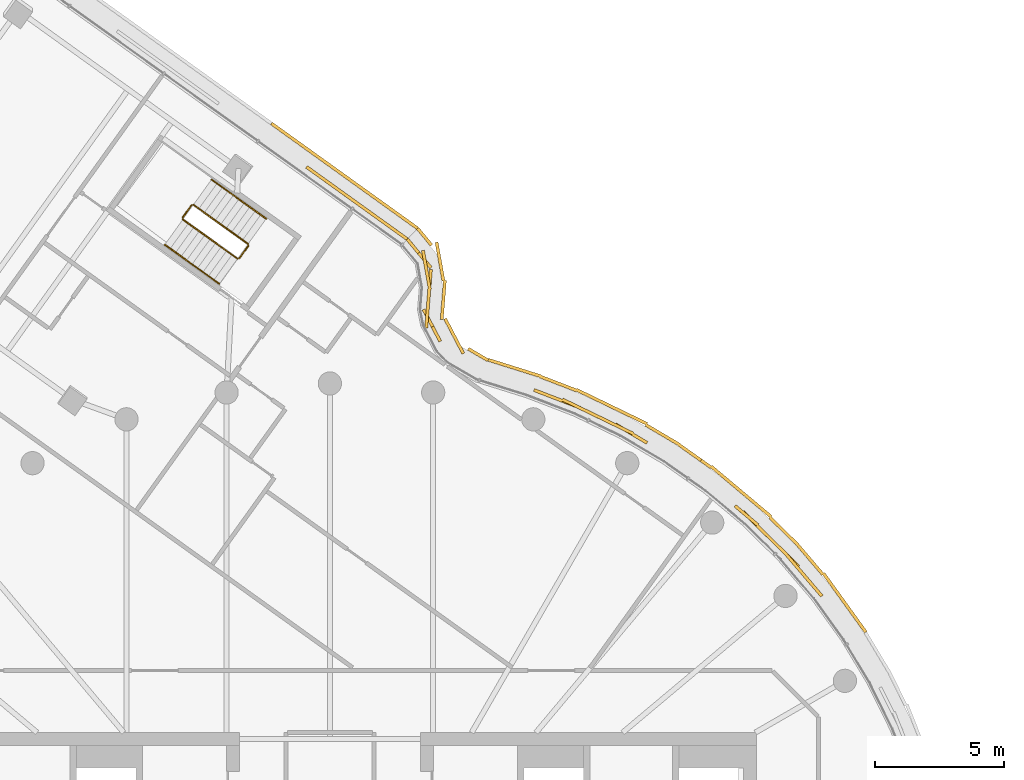
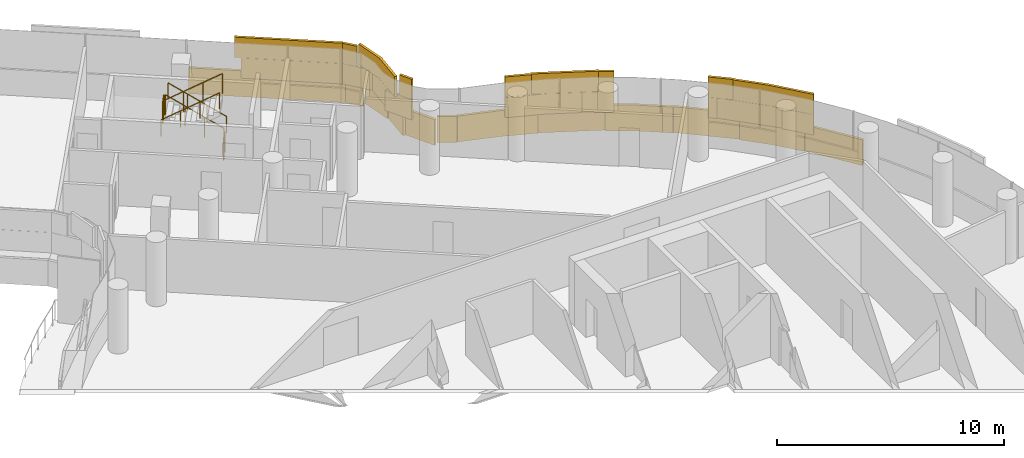
# One storey, part 26 of 27: 6 railings, 4 coverings.
"""IFC4 building model written with IfcOpenShell, lengths in metres."""

from ifc_helpers import new_model, si_unit, direction, frame, origin, origin_2d, place, context, subcontext, project, spatial, rectangle, circle, extrude, material, layer, layer_set, type_object, element, save


model = new_model("IFC4")

# Units and contexts
model_context = context("Model", 3, precision=1e-05, world=origin(), true_north=direction((0.0, 1.0)))
body_context = subcontext(model_context, "Body", "Model", "MODEL_VIEW")
ifc_project = project(units=[si_unit("LENGTHUNIT", "METRE"), si_unit("AREAUNIT", "SQUARE_METRE"), si_unit("VOLUMEUNIT", "CUBIC_METRE"), si_unit("PLANEANGLEUNIT", "RADIAN"), si_unit("MASSUNIT", "GRAM", prefix="KILO")], contexts=[model_context])

# Site, building, storey
site_placement = place(None, origin())
site = spatial("IfcSite", under=ifc_project, at=site_placement, CompositionType="ELEMENT")
building_placement = place(site_placement, origin())
building = spatial("IfcBuilding", under=site, at=building_placement, Name="Tamarind Cross Interchange Tower", CompositionType="ELEMENT")
storey_placement = place(building_placement, frame((0.0, 0.0, 230.699951171875)))
storey = spatial("IfcBuildingStorey", under=building, at=storey_placement, Name="L58", CompositionType="ELEMENT", Elevation=230.699951171875)

# Railings
ifc_material_1 = material(Name="Stair guard")
railing_type_1 = type_object("IfcRailingType", Name="Stair guard", PredefinedType="GUARDRAIL", material=ifc_material_1)
railing_1_placement = place(storey_placement, frame((-3.16455078125, 28.395263671875, 0.16357421875)))
element("IfcRailing", 1, at=railing_1_placement, inside=storey, type_object=railing_type_1, Name="L58 ST4 stair guard 1", PredefinedType="GUARDRAIL", context=body_context, shape_type="SweptSolid", body=[
    extrude(circle(Radius=0.02392578125, at=origin_2d()), frame((0.0, 0.0, 1.076171875), z_axis=(-0.687551983444, 0.493492581737, 0.532670012139), x_axis=(-0.583101922909, -0.81239900757, 0.0)), (0.0, 0.0, 1.0), 3.072265625),
    extrude(circle(Radius=0.02099609375, at=origin_2d()), origin(), (0.0, 0.0, 1.0), 1.052001953125),
    extrude(circle(Radius=0.02099609375, at=origin_2d()), frame((-0.7041015625, 0.50537109375, 0.54541015625)), (0.0, 0.0, 1.0), 1.052001953125),
    extrude(circle(Radius=0.02099609375, at=origin_2d()), frame((-1.408203125, 1.0107421875, 1.091064453125)), (0.0, 0.0, 1.0), 1.052001953125),
    extrude(circle(Radius=0.02099609375, at=origin_2d()), frame((-2.1123046875, 1.51611328125, 1.636474609375)), (0.0, 0.0, 1.0), 1.052001953125),
])
railing_2_placement = place(storey_placement, frame((-5.346435546875, 29.89990234375, 1.800048828125)))
element("IfcRailing", 2, at=railing_2_placement, inside=storey, type_object=railing_type_1, Name="L58 ST4 stair guard 2", PredefinedType="GUARDRAIL", context=body_context, shape_type="SweptSolid", body=[
    extrude(circle(Radius=0.02392578125, at=origin_2d()), frame((0.0, 0.0, 1.076171875), z_axis=(-0.58327560158, -0.812274321028, 0.0), x_axis=(0.812274321028, -0.58327560158, 0.0)), (0.0, 0.0, 1.0), 0.600341796875),
    extrude(circle(Radius=0.02099609375, at=origin_2d()), origin(), (0.0, 0.0, 1.0), 1.052001953125),
    extrude(circle(Radius=0.02099609375, at=origin_2d()), frame((-0.35009765625, -0.487548828125, 0.0)), (0.0, 0.0, 1.0), 1.052001953125),
])
railing_3_placement = place(storey_placement, frame((-5.68505859375, 29.342529296875, 1.963623046875)))
element("IfcRailing", 3, at=railing_3_placement, inside=storey, type_object=railing_type_1, Name="L58 ST4 stair guard 3", PredefinedType="GUARDRAIL", context=body_context, shape_type="SweptSolid", body=[
    extrude(circle(Radius=0.02392578125, at=origin_2d()), frame((0.0, 0.0, 1.076171875), z_axis=(0.687551983444, -0.493492581737, 0.532670012139), x_axis=(0.583101922909, 0.81239900757, 0.0)), (0.0, 0.0, 1.0), 3.072265625),
    extrude(circle(Radius=0.02099609375, at=origin_2d()), origin(), (0.0, 0.0, 1.0), 1.052001953125),
    extrude(circle(Radius=0.02099609375, at=origin_2d()), frame((0.7041015625, -0.50537109375, 0.54541015625)), (0.0, 0.0, 1.0), 1.052001953125),
    extrude(circle(Radius=0.02099609375, at=origin_2d()), frame((1.408203125, -1.0107421875, 1.091064453125)), (0.0, 0.0, 1.0), 1.052001953125),
    extrude(circle(Radius=0.02099609375, at=origin_2d()), frame((2.1123046875, -1.51611328125, 1.636474609375)), (0.0, 0.0, 1.0), 1.052001953125),
])
railing_4_placement = place(storey_placement, frame((-3.153076171875, 28.325439453125, 0.0)))
element("IfcRailing", 4, at=railing_4_placement, inside=storey, type_object=railing_type_1, Name="L58 ST4 stair guard 4", PredefinedType="GUARDRAIL", context=body_context, shape_type="SweptSolid", body=[
    extrude(circle(Radius=0.02392578125, at=origin_2d()), frame((0.0, 0.0, 1.076171875), z_axis=(-0.583007138445, -0.812467031037, 0.0), x_axis=(0.812467031037, -0.583007138445, 0.0)), (0.0, 0.0, 1.0), 0.60009765625),
    extrude(circle(Radius=0.02099609375, at=origin_2d()), origin(), (0.0, 0.0, 1.0), 1.052001953125),
    extrude(circle(Radius=0.02099609375, at=origin_2d()), frame((-0.349853515625, -0.487548828125, 0.0)), (0.0, 0.0, 1.0), 1.052001953125),
])
ifc_material_2 = material(Name="Stair handrail")
railing_type_2 = type_object("IfcRailingType", Name="Stair handrail", PredefinedType="HANDRAIL", material=ifc_material_2)
railing_5_placement = place(storey_placement, frame((-2.46484375, 29.3701171875, 0.16357421875)))
element("IfcRailing", 5, at=railing_5_placement, inside=storey, type_object=railing_type_2, Name="L58 ST4 stair handrail 1", PredefinedType="HANDRAIL", context=body_context, shape_type="SweptSolid", body=[
    extrude(circle(Radius=0.02392578125, at=origin_2d()), frame((0.0, 0.0, 0.8759765625), z_axis=(-0.687510079051, 0.493519545822, 0.532699116851), x_axis=(-0.583146405628, -0.812367078114, 0.0)), (0.0, 0.0, 1.0), 3.072021484375),
    extrude(circle(Radius=0.02099609375, at=origin_2d()), origin(), (0.0, 0.0, 1.0), 0.851806640625),
    extrude(circle(Radius=0.02099609375, at=origin_2d()), frame((-0.7041015625, 0.50537109375, 0.54541015625)), (0.0, 0.0, 1.0), 0.851806640625),
    extrude(circle(Radius=0.02099609375, at=origin_2d()), frame((-1.407958984375, 1.0107421875, 1.091064453125)), (0.0, 0.0, 1.0), 0.851806640625),
    extrude(circle(Radius=0.02099609375, at=origin_2d()), frame((-2.112060546875, 1.51611328125, 1.636474609375)), (0.0, 0.0, 1.0), 0.851806640625),
])
railing_6_placement = place(storey_placement, frame((-6.384765625, 28.36767578125, 1.963623046875)))
element("IfcRailing", 6, at=railing_6_placement, inside=storey, type_object=railing_type_2, Name="L58 ST4 stair handrail 2", PredefinedType="HANDRAIL", context=body_context, shape_type="SweptSolid", body=[
    extrude(circle(Radius=0.02392578125, at=origin_2d()), frame((0.0, 0.0, 0.8759765625), z_axis=(0.687551983444, -0.493492581737, 0.532670012139), x_axis=(0.583101922909, 0.81239900757, 0.0)), (0.0, 0.0, 1.0), 3.072265625),
    extrude(circle(Radius=0.02099609375, at=origin_2d()), origin(), (0.0, 0.0, 1.0), 0.851806640625),
    extrude(circle(Radius=0.02099609375, at=origin_2d()), frame((0.7041015625, -0.50537109375, 0.54541015625)), (0.0, 0.0, 1.0), 0.851806640625),
    extrude(circle(Radius=0.02099609375, at=origin_2d()), frame((1.408203125, -1.0107421875, 1.091064453125)), (0.0, 0.0, 1.0), 0.851806640625),
    extrude(circle(Radius=0.02099609375, at=origin_2d()), frame((2.1123046875, -1.51611328125, 1.636474609375)), (0.0, 0.0, 1.0), 0.851806640625),
])

# Coverings
ifc_material_3 = material(Name="Terracotta", Category="masonry")
ifc_layer = layer(ifc_material_3, 0.1201171875)
ifc_layer_set = layer_set([ifc_layer], Name="Terracotta")
covering_type = type_object("IfcCoveringType", Name="Terracotta baguette screen unit", PredefinedType="MOLDING", material=ifc_layer_set)
covering_1_placement = place(storey_placement, origin())
element("IfcCovering", 7, at=covering_1_placement, inside=storey, type_object=covering_type, Name="SCR-L58-02-08", PredefinedType="MOLDING", context=body_context, shape_type="SweptSolid", body=[
    extrude(rectangle(XDim=1.463134765625, YDim=0.1201171875, at=origin_2d()), frame((18.55224609375, 15.33349609375, 1.40380859375), z_axis=(0.0, 0.0, 1.0), x_axis=(-0.64957723968, 0.760295606781, 0.0)), (0.0, 0.0, 1.0), 1.092041015625),
    extrude(rectangle(XDim=1.52001953125, YDim=0.1201171875, at=origin_2d()), frame((17.587890625, 16.451171875, 1.40380859375), z_axis=(0.0, 0.0, 1.0), x_axis=(-0.710143317658, 0.704057148523, 0.0)), (0.0, 0.0, 1.0), 1.092041015625),
    extrude(rectangle(XDim=1.52001953125, YDim=0.1201171875, at=origin_2d()), frame((16.5224609375, 17.507080078125, 1.40380859375), z_axis=(0.0, 0.0, 1.0), x_axis=(-0.710143317658, 0.704057148523, 0.0)), (0.0, 0.0, 1.0), 1.092041015625),
    extrude(rectangle(XDim=0.3994140625, YDim=0.1201171875, at=origin_2d()), frame((15.821533203125, 18.13916015625, 1.40380859375), z_axis=(0.0, 0.0, 1.0), x_axis=(-0.765858396687, 0.643009266048, 0.0)), (0.0, 0.0, 1.0), 1.092041015625),
    extrude(rectangle(XDim=0.713134765625, YDim=0.1201171875, at=origin_2d()), frame((18.7958984375, 15.04833984375, 2.50390625), z_axis=(0.0, 0.0, 1.0), x_axis=(-0.64957723968, 0.760295606781, 0.0)), (0.0, 0.0, 1.0), 1.092041015625),
    extrude(rectangle(XDim=1.52001953125, YDim=0.1201171875, at=origin_2d()), frame((18.080322265625, 15.8857421875, 2.50390625), z_axis=(0.0, 0.0, 1.0), x_axis=(-0.64957723968, 0.760295606781, 0.0)), (0.0, 0.0, 1.0), 1.092041015625),
    extrude(rectangle(XDim=1.52001953125, YDim=0.1201171875, at=origin_2d()), frame((17.05517578125, 16.979248046875, 2.50390625), z_axis=(0.0, 0.0, 1.0), x_axis=(-0.710143317658, 0.704057148523, 0.0)), (0.0, 0.0, 1.0), 1.092041015625),
    extrude(rectangle(XDim=1.1494140625, YDim=0.1201171875, at=origin_2d()), frame((16.108642578125, 17.898193359375, 2.50390625), z_axis=(0.0, 0.0, 1.0), x_axis=(-0.765858396687, 0.643009266048, 0.0)), (0.0, 0.0, 1.0), 1.092041015625),
    extrude(rectangle(XDim=1.30078125, YDim=0.1201171875, at=origin_2d()), frame((20.346435546875, 13.91015625, 0.00390625), z_axis=(0.0, 0.0, 1.0), x_axis=(-0.584573890505, 0.811340475102, 0.0)), (0.0, 0.0, 1.0), 1.39208984375),
    extrude(rectangle(XDim=1.52001953125, YDim=0.1201171875, at=origin_2d()), frame((19.53369140625, 15.038330078125, 0.00390625), z_axis=(0.0, 0.0, 1.0), x_axis=(-0.584573890505, 0.811340475102, 0.0)), (0.0, 0.0, 1.0), 1.39208984375),
    extrude(rectangle(XDim=1.52001953125, YDim=0.1201171875, at=origin_2d()), frame((18.57470703125, 16.19091796875, 0.00390625), z_axis=(0.0, 0.0, 1.0), x_axis=(-0.64957723968, 0.760295606781, 0.0)), (0.0, 0.0, 1.0), 1.39208984375),
    extrude(rectangle(XDim=1.52001953125, YDim=0.1201171875, at=origin_2d()), frame((17.556396484375, 17.29052734375, 0.00390625), z_axis=(0.0, 0.0, 1.0), x_axis=(-0.710143317658, 0.704057148523, 0.0)), (0.0, 0.0, 1.0), 1.39208984375),
    extrude(rectangle(XDim=1.52001953125, YDim=0.1201171875, at=origin_2d()), frame((16.480712890625, 18.335205078125, 0.00390625), z_axis=(0.0, 0.0, 1.0), x_axis=(-0.765858396687, 0.643009266048, 0.0)), (0.0, 0.0, 1.0), 1.39208984375),
    extrude(rectangle(XDim=1.52001953125, YDim=0.1201171875, at=origin_2d()), frame((15.33203125, 19.2998046875, 0.00390625), z_axis=(0.0, 0.0, 1.0), x_axis=(-0.765858396687, 0.643009266048, 0.0)), (0.0, 0.0, 1.0), 1.39208984375),
    extrude(rectangle(XDim=0.4775390625, YDim=0.1201171875, at=origin_2d()), frame((14.55078125, 19.887939453125, 0.00390625), z_axis=(0.0, 0.0, 1.0), x_axis=(-0.816341886298, 0.577568978284, 0.0)), (0.0, 0.0, 1.0), 1.39208984375),
])
covering_2_placement = place(storey_placement, origin())
element("IfcCovering", 8, at=covering_2_placement, inside=storey, type_object=covering_type, Name="SCR-L58-02-09", PredefinedType="MOLDING", context=body_context, shape_type="SweptSolid", body=[
    extrude(rectangle(XDim=1.420654296875, YDim=0.1201171875, at=origin_2d()), frame((11.65673828125, 21.064453125, 1.40380859375), z_axis=(0.0, 0.0, 1.0), x_axis=(-0.861248933065, 0.508183308752, 0.0)), (0.0, 0.0, 1.0), 1.092041015625),
    extrude(rectangle(XDim=1.52001953125, YDim=0.1201171875, at=origin_2d()), frame((10.359375, 21.721923828125, 1.40380859375), z_axis=(0.0, 0.0, 1.0), x_axis=(-0.900272776334, 0.435326231914, 0.0)), (0.0, 0.0, 1.0), 1.092041015625),
    extrude(rectangle(XDim=1.52001953125, YDim=0.1201171875, at=origin_2d()), frame((8.98828125, 22.326904296875, 1.40380859375), z_axis=(0.0, 0.0, 1.0), x_axis=(-0.933146843667, 0.359495435512, 0.0)), (0.0, 0.0, 1.0), 1.092041015625),
    extrude(rectangle(XDim=0.427490234375, YDim=0.1201171875, at=origin_2d()), frame((8.093505859375, 22.671630859375, 1.40380859375), z_axis=(0.0, 0.0, 1.0), x_axis=(-0.933146843667, 0.359495435512, 0.0)), (0.0, 0.0, 1.0), 1.092041015625),
    extrude(rectangle(XDim=0.670654296875, YDim=0.1201171875, at=origin_2d()), frame((11.979736328125, 20.873779296875, 2.50390625), z_axis=(0.0, 0.0, 1.0), x_axis=(-0.861248933065, 0.508183308752, 0.0)), (0.0, 0.0, 1.0), 1.092041015625),
    extrude(rectangle(XDim=1.52001953125, YDim=0.1201171875, at=origin_2d()), frame((11.03466796875, 21.3955078125, 2.50390625), z_axis=(0.0, 0.0, 1.0), x_axis=(-0.900272776334, 0.435326231914, 0.0)), (0.0, 0.0, 1.0), 1.092041015625),
    extrude(rectangle(XDim=1.52001953125, YDim=0.1201171875, at=origin_2d()), frame((9.684326171875, 22.048583984375, 2.50390625), z_axis=(0.0, 0.0, 1.0), x_axis=(-0.900272776334, 0.435326231914, 0.0)), (0.0, 0.0, 1.0), 1.092041015625),
    extrude(rectangle(XDim=1.177490234375, YDim=0.1201171875, at=origin_2d()), frame((8.443359375, 22.53662109375, 2.50390625), z_axis=(0.0, 0.0, 1.0), x_axis=(-0.933146843667, 0.359495435512, 0.0)), (0.0, 0.0, 1.0), 1.092041015625),
    extrude(rectangle(XDim=1.04248046875, YDim=0.1201171875, at=origin_2d()), frame((13.93017578125, 20.326904296875, 0.00390625), z_axis=(0.0, 0.0, 1.0), x_axis=(-0.816341886298, 0.577568978284, 0.0)), (0.0, 0.0, 1.0), 1.39208984375),
    extrude(rectangle(XDim=1.52001953125, YDim=0.1201171875, at=origin_2d()), frame((12.873291015625, 21.012939453125, 0.00390625), z_axis=(0.0, 0.0, 1.0), x_axis=(-0.861248933065, 0.508183308752, 0.0)), (0.0, 0.0, 1.0), 1.39208984375),
    extrude(rectangle(XDim=1.52001953125, YDim=0.1201171875, at=origin_2d()), frame((11.57861328125, 21.77001953125, 0.00390625), z_axis=(0.0, 0.0, 1.0), x_axis=(-0.900272776334, 0.435326231914, 0.0)), (0.0, 0.0, 1.0), 1.39208984375),
    extrude(rectangle(XDim=1.52001953125, YDim=0.1201171875, at=origin_2d()), frame((10.228271484375, 22.423095703125, 0.00390625), z_axis=(0.0, 0.0, 1.0), x_axis=(-0.900272776334, 0.435326231914, 0.0)), (0.0, 0.0, 1.0), 1.39208984375),
    extrude(rectangle(XDim=1.52001953125, YDim=0.1201171875, at=origin_2d()), frame((8.84375, 22.99755859375, 0.00390625), z_axis=(0.0, 0.0, 1.0), x_axis=(-0.933146843667, 0.359495435512, 0.0)), (0.0, 0.0, 1.0), 1.39208984375),
    extrude(rectangle(XDim=1.52001953125, YDim=0.1201171875, at=origin_2d()), frame((7.43359375, 23.506591796875, 0.00390625), z_axis=(0.0, 0.0, 1.0), x_axis=(-0.954125391172, 0.299407311068, 0.0)), (0.0, 0.0, 1.0), 1.39208984375),
    extrude(rectangle(XDim=0.626220703125, YDim=0.1201171875, at=origin_2d()), frame((6.4287109375, 23.822021484375, 0.00390625), z_axis=(0.0, 0.0, 1.0), x_axis=(-0.954125391172, 0.299407311068, 0.0)), (0.0, 0.0, 1.0), 1.39208984375),
])
covering_3_placement = place(storey_placement, origin())
element("IfcCovering", 9, at=covering_3_placement, inside=storey, type_object=covering_type, Name="SCR-L58-02-10", PredefinedType="MOLDING", context=body_context, shape_type="SweptSolid", body=[
    extrude(rectangle(XDim=1.392333984375, YDim=0.1201171875, at=origin_2d()), frame((3.9453125, 25.243896484375, 1.40380859375), z_axis=(0.0, 0.0, 1.0), x_axis=(-0.462670069084, 0.886530544975, 0.0)), (0.0, 0.0, 1.0), 1.092041015625),
    extrude(rectangle(XDim=1.52001953125, YDim=0.1201171875, at=origin_2d()), frame((3.845947265625, 26.657470703125, 1.40380859375), z_axis=(0.0, 0.0, 1.0), x_axis=(0.080090268448, 0.99678761474, 0.0)), (0.0, 0.0, 1.0), 1.092041015625),
    extrude(rectangle(XDim=1.4375, YDim=0.1201171875, at=origin_2d()), frame((3.450927734375, 28.027099609375, 1.40380859375), z_axis=(0.0, 0.0, 1.0), x_axis=(-0.637407332969, 0.770527022159, 0.0)), (0.0, 0.0, 1.0), 1.092041015625),
    extrude(rectangle(XDim=0.642333984375, YDim=0.1201171875, at=origin_2d()), frame((4.118896484375, 24.911376953125, 2.50390625), z_axis=(0.0, 0.0, 1.0), x_axis=(-0.462670069084, 0.886530544975, 0.0)), (0.0, 0.0, 1.0), 1.092041015625),
    extrude(rectangle(XDim=1.52001953125, YDim=0.1201171875, at=origin_2d()), frame((3.785888671875, 25.909912109375, 2.50390625), z_axis=(0.0, 0.0, 1.0), x_axis=(0.080090268448, 0.99678761474, 0.0)), (0.0, 0.0, 1.0), 1.092041015625),
    extrude(rectangle(XDim=1.52001953125, YDim=0.1201171875, at=origin_2d()), frame((3.732666015625, 27.396728515625, 2.50390625), z_axis=(0.0, 0.0, 1.0), x_axis=(-0.176003900711, 0.98438946913, 0.0)), (0.0, 0.0, 1.0), 1.092041015625),
    extrude(rectangle(XDim=0.6875, YDim=0.1201171875, at=origin_2d()), frame((3.2119140625, 28.31591796875, 2.50390625), z_axis=(0.0, 0.0, 1.0), x_axis=(-0.637407332969, 0.770527022159, 0.0)), (0.0, 0.0, 1.0), 1.092041015625),
    extrude(rectangle(XDim=0.893798828125, YDim=0.1201171875, at=origin_2d()), frame((5.73388671875, 24.117919921875, 0.00390625), z_axis=(0.0, 0.0, 1.0), x_axis=(-0.863508488694, 0.504334303764, 0.0)), (0.0, 0.0, 1.0), 1.39208984375),
    extrude(rectangle(XDim=1.52001953125, YDim=0.1201171875, at=origin_2d()), frame((4.80859375, 24.83056640625, 0.00390625), z_axis=(0.0, 0.0, 1.0), x_axis=(-0.462670069084, 0.886530544975, 0.0)), (0.0, 0.0, 1.0), 1.39208984375),
    extrude(rectangle(XDim=1.52001953125, YDim=0.1201171875, at=origin_2d()), frame((4.387451171875, 26.22998046875, 0.00390625), z_axis=(0.0, 0.0, 1.0), x_axis=(0.080090268448, 0.99678761474, 0.0)), (0.0, 0.0, 1.0), 1.39208984375),
    extrude(rectangle(XDim=1.52001953125, YDim=0.1201171875, at=origin_2d()), frame((4.25927734375, 27.713134765625, 0.00390625), z_axis=(0.0, 0.0, 1.0), x_axis=(-0.176003900711, 0.98438946913, 0.0)), (0.0, 0.0, 1.0), 1.39208984375),
    extrude(rectangle(XDim=0.8447265625, YDim=0.1201171875, at=origin_2d()), frame((3.66015625, 28.674560546875, 0.00390625), z_axis=(0.0, 0.0, 1.0), x_axis=(-0.637407332969, 0.770527022159, 0.0)), (0.0, 0.0, 1.0), 1.39208984375),
])
covering_4_placement = place(storey_placement, origin())
element("IfcCovering", 10, at=covering_4_placement, inside=storey, type_object=covering_type, Name="SCR-L58-03-00", PredefinedType="MOLDING", context=body_context, shape_type="SweptSolid", body=[
    extrude(rectangle(XDim=1.510009765625, YDim=0.1201171875, at=origin_2d()), frame((2.386474609375, 29.014404296875, 1.40380859375), z_axis=(0.0, 0.0, 1.0), x_axis=(-0.812384886086, 0.583121596975, 0.0)), (0.0, 0.0, 1.0), 1.092041015625),
    extrude(rectangle(XDim=1.52001953125, YDim=0.1201171875, at=origin_2d()), frame((1.16796875, 29.888916015625, 1.40380859375), z_axis=(0.0, 0.0, 1.0), x_axis=(-0.812384886086, 0.583121596975, 0.0)), (0.0, 0.0, 1.0), 1.092041015625),
    extrude(rectangle(XDim=1.52001953125, YDim=0.1201171875, at=origin_2d()), frame((-0.050537109375, 30.763671875, 1.40380859375), z_axis=(0.0, 0.0, 1.0), x_axis=(-0.812384886086, 0.583121596975, 0.0)), (0.0, 0.0, 1.0), 1.092041015625),
    extrude(rectangle(XDim=0.760009765625, YDim=0.1201171875, at=origin_2d()), frame((2.691162109375, 28.795654296875, 2.50390625), z_axis=(0.0, 0.0, 1.0), x_axis=(-0.812384886086, 0.583121596975, 0.0)), (0.0, 0.0, 1.0), 1.092041015625),
    extrude(rectangle(XDim=1.52001953125, YDim=0.1201171875, at=origin_2d()), frame((1.77734375, 29.45166015625, 2.50390625), z_axis=(0.0, 0.0, 1.0), x_axis=(-0.812384886086, 0.583121596975, 0.0)), (0.0, 0.0, 1.0), 1.092041015625),
    extrude(rectangle(XDim=1.52001953125, YDim=0.1201171875, at=origin_2d()), frame((0.55859375, 30.326416015625, 2.50390625), z_axis=(0.0, 0.0, 1.0), x_axis=(-0.812384886086, 0.583121596975, 0.0)), (0.0, 0.0, 1.0), 1.092041015625),
    extrude(rectangle(XDim=1.056396484375, YDim=0.1201171875, at=origin_2d()), frame((-0.4755859375, 31.06884765625, 2.50390625), z_axis=(0.0, 0.0, 1.0), x_axis=(-0.812384886086, 0.583121596975, 0.0)), (0.0, 0.0, 1.0), 1.092041015625),
    extrude(rectangle(XDim=1.510009765625, YDim=0.1201171875, at=origin_2d()), frame((2.777587890625, 29.440185546875, 0.00390625), z_axis=(0.0, 0.0, 1.0), x_axis=(-0.812384886086, 0.583121596975, 0.0)), (0.0, 0.0, 1.0), 1.39208984375),
    extrude(rectangle(XDim=1.52001953125, YDim=0.1201171875, at=origin_2d()), frame((1.56298828125, 30.31201171875, 0.00390625), z_axis=(0.0, 0.0, 1.0), x_axis=(-0.812384886086, 0.583121596975, 0.0)), (0.0, 0.0, 1.0), 1.39208984375),
    extrude(rectangle(XDim=1.52001953125, YDim=0.1201171875, at=origin_2d()), frame((0.344482421875, 31.186767578125, 0.00390625), z_axis=(0.0, 0.0, 1.0), x_axis=(-0.812384886086, 0.583121596975, 0.0)), (0.0, 0.0, 1.0), 1.39208984375),
    extrude(rectangle(XDim=1.52001953125, YDim=0.1201171875, at=origin_2d()), frame((-0.874267578125, 32.0615234375, 0.00390625), z_axis=(0.0, 0.0, 1.0), x_axis=(-0.812384886086, 0.583121596975, 0.0)), (0.0, 0.0, 1.0), 1.39208984375),
    extrude(rectangle(XDim=0.96630859375, YDim=0.1201171875, at=origin_2d()), frame((-1.867919921875, 32.774658203125, 0.00390625), z_axis=(0.0, 0.0, 1.0), x_axis=(-0.812384886086, 0.583121596975, 0.0)), (0.0, 0.0, 1.0), 1.39208984375),
])

save(model, "model.ifc")
